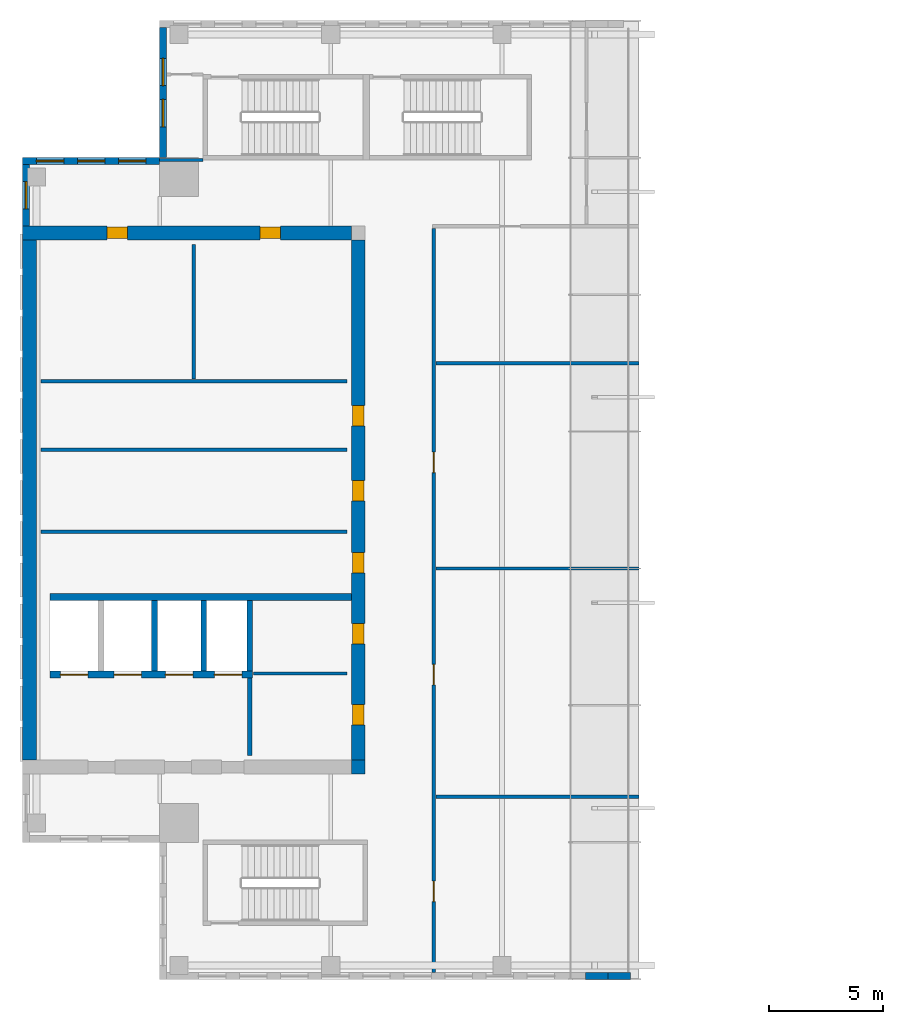
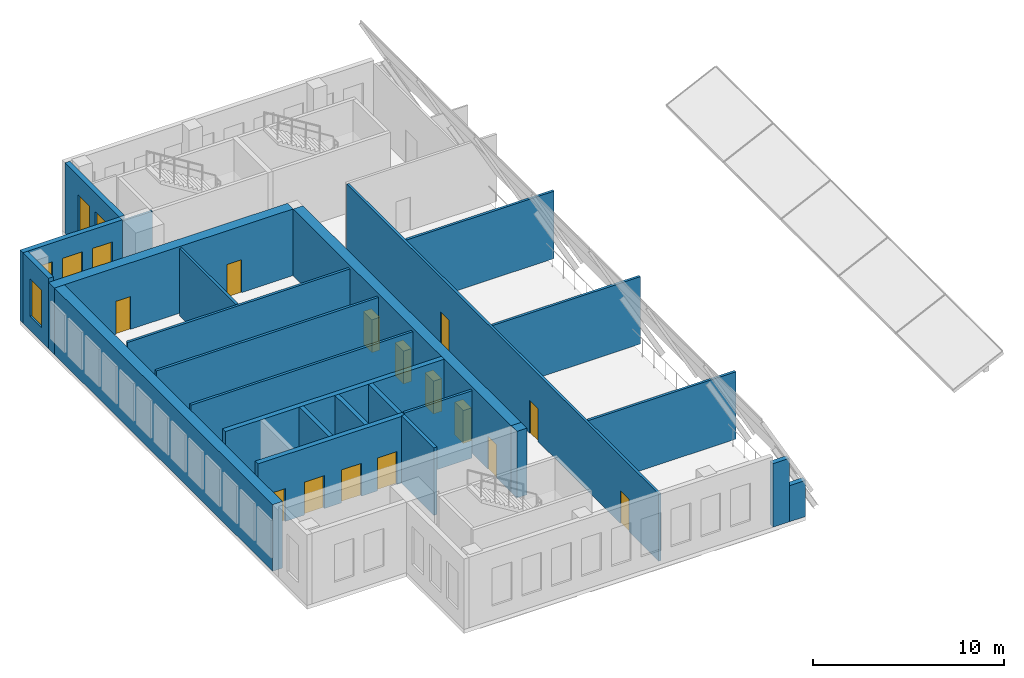
# One storey, part 4 of 7: 25 walls, 14 doors, 6 windows, 20 openings.
"""IFC4 building model written with IfcOpenShell, lengths in metres."""

from ifc_helpers import new_model, si_unit, direction, frame, frame_2d, origin, place, context, subcontext, project, spatial, rectangle, extrude, source, transform, mapped, material, layer, layer_set, type_object, element, fill, save


model = new_model("IFC4")

# Units and contexts
model_context = context("Model", 3, precision=1e-05, world=origin(), true_north=direction((0.0, 1.0)))
body_context = subcontext(model_context, "Body", "Model", "MODEL_VIEW")
ifc_project = project(units=[si_unit("LENGTHUNIT", "METRE"), si_unit("AREAUNIT", "SQUARE_METRE"), si_unit("VOLUMEUNIT", "CUBIC_METRE"), si_unit("PLANEANGLEUNIT", "RADIAN"), si_unit("MASSUNIT", "GRAM", prefix="KILO")], contexts=[model_context])

# Site, building, storey
site_placement = place(None, origin())
site = spatial("IfcSite", under=ifc_project, at=site_placement, CompositionType="ELEMENT")
building_placement = place(site_placement, origin())
building = spatial("IfcBuilding", under=site, at=building_placement, Name="Khomas Fold Tower", CompositionType="ELEMENT")
storey_placement = place(building_placement, frame((0.0, 0.0, 339.199951171875)))
storey = spatial("IfcBuildingStorey", under=building, at=storey_placement, Name="C3", CompositionType="ELEMENT", Elevation=339.199951171875)

# Wall, openings, doors
ifc_material_1 = material(Name="Concrete C50/60", Category="concrete")
ifc_layer_1 = layer(ifc_material_1, 0.60009765625)
ifc_layer_set_1 = layer_set([ifc_layer_1], Name="Concrete C50/60")
wall_type_1 = type_object("IfcWallType", Name="Core wall 600", PredefinedType="SHEAR", material=ifc_layer_set_1)
shared_shape_1 = source(origin(), body_context, "Body", "SweptSolid", [
    extrude(rectangle(XDim=14.39990234375, YDim=0.60009765625, at=frame_2d((7.199951171875, 0.0))), origin(), (0.0, 0.0, 1.0), 4.25),
])
wall_1_placement = place(storey_placement, frame((6.0, 38.699951171875, 0.0), z_axis=(0.0, 0.0, 1.0), x_axis=(1.0, 0.0, 0.0)))
wall_1 = element("IfcWall", 1, at=wall_1_placement, inside=storey, type_object=wall_type_1, Name="Core wall CW-U-N-L63", PredefinedType="SHEAR", context=body_context, shape_type="MappedRepresentation", body=[
    mapped(shared_shape_1, transform((0.0, 0.0, 0.0))),
])
shared_shape_2 = source(origin(), body_context, "Body", "SweptSolid", [
    extrude(rectangle(XDim=0.89990234375, YDim=2.10009765625, at=frame_2d((0.449951171875, 1.050048828125))), frame((0.0, 0.31005859375, 0.0), z_axis=(0.0, -1.0, 0.0), x_axis=(1.0, 0.0, 0.0)), (0.0, 0.0, 1.0), 0.6201171875),
])
opening_1_placement = place(wall_1_placement, frame((3.699951171875, 0.0, 0.0)))
opening_1 = element("IfcOpeningElement", 2, at=opening_1_placement, cuts=wall_1, Name="Opening 0003", PredefinedType="OPENING", context=body_context, shape_type="MappedRepresentation", body=[
    mapped(shared_shape_2, transform((0.0, 0.0, 0.0))),
])
opening_2_placement = place(wall_1_placement, frame((10.39990234375, 0.0, 0.0)))
opening_2 = element("IfcOpeningElement", 3, at=opening_2_placement, cuts=wall_1, Name="Opening 0003", PredefinedType="OPENING", context=body_context, shape_type="MappedRepresentation", body=[
    mapped(shared_shape_2, transform((0.0, 0.0, 0.0))),
])
ifc_material_2 = material(Name="Steel door leaf", Category="steel")
door_type_1 = type_object("IfcDoorType", Name="Plant room door 900x2100 right-hand", OperationType="SINGLE_SWING_RIGHT", PredefinedType="DOOR", material=ifc_material_2)
shared_shape_3 = source(origin(), body_context, "Body", "SweptSolid", [
    extrude(rectangle(XDim=0.89990234375, YDim=2.10009765625, at=frame_2d((0.449951171875, 1.050048828125))), frame((0.0, 0.25, 0.0), z_axis=(0.0, -1.0, 0.0), x_axis=(1.0, 0.0, 0.0)), (0.0, 0.0, 1.0), 0.5),
])
door_1_placement = place(opening_1_placement, origin())
door_1 = element("IfcDoor", 4, at=door_1_placement, inside=storey, type_object=door_type_1, Name="Plant room door", OperationType="SINGLE_SWING_RIGHT", OverallHeight=2.10009765625, OverallWidth=0.89990234375, PredefinedType="DOOR", context=body_context, shape_type="MappedRepresentation", body=[
    mapped(shared_shape_3, transform((0.0, 0.0, 0.0))),
])
fill(opening_1, door_1)
door_2_placement = place(opening_2_placement, origin())
door_2 = element("IfcDoor", 5, at=door_2_placement, inside=storey, type_object=door_type_1, Name="Plant room door", OperationType="SINGLE_SWING_RIGHT", OverallHeight=2.10009765625, OverallWidth=0.89990234375, PredefinedType="DOOR", context=body_context, shape_type="MappedRepresentation", body=[
    mapped(shared_shape_3, transform((0.0, 0.0, 0.0))),
])
fill(opening_2, door_2)

# Wall
ifc_material_3 = material(Name="Concrete C50/60", Category="concrete")
ifc_layer_2 = layer(ifc_material_3, 0.60009765625)
ifc_layer_set_2 = layer_set([ifc_layer_2], Name="Concrete C50/60")
wall_type_2 = type_object("IfcWallType", Name="Core corner wall 600", PredefinedType="SHEAR", material=ifc_layer_set_2)
shared_shape_4 = source(origin(), body_context, "Body", "SweptSolid", [
    extrude(rectangle(XDim=0.60009765625, YDim=0.60009765625, at=frame_2d((0.300048828125, 0.0))), origin(), (0.0, 0.0, 1.0), 4.25),
])
wall_2_placement = place(storey_placement, frame((20.39990234375, 15.300048828125, 0.0), z_axis=(0.0, 0.0, 1.0), x_axis=(1.0, 0.0, 0.0)))
element("IfcWall", 6, at=wall_2_placement, inside=storey, type_object=wall_type_2, Name="Core wall CW-U-SE-L63", PredefinedType="SHEAR", context=body_context, shape_type="MappedRepresentation", body=[
    mapped(shared_shape_4, transform((0.0, 0.0, 0.0))),
])

# Wall, openings, doors
shared_shape_5 = source(origin(), body_context, "Body", "SweptSolid", [
    extrude(rectangle(XDim=22.7998046875, YDim=0.60009765625, at=frame_2d((11.39990234375, 0.0))), origin(), (0.0, 0.0, 1.0), 4.25),
])
wall_3_placement = place(storey_placement, frame((20.699951171875, 15.60009765625, 0.0), z_axis=(0.0, 0.0, 1.0), x_axis=(0.0, 1.0, 0.0)))
wall_3 = element("IfcWall", 7, at=wall_3_placement, inside=storey, type_object=wall_type_1, Name="Core wall CW-U-E-L63", PredefinedType="SHEAR", context=body_context, shape_type="MappedRepresentation", body=[
    mapped(shared_shape_5, transform((0.0, 0.0, 0.0))),
])
opening_3_placement = place(wall_3_placement, frame((8.199951171875, 0.0, 0.0)))
opening_3 = element("IfcOpeningElement", 8, at=opening_3_placement, cuts=wall_3, Name="Opening 0003", PredefinedType="OPENING", context=body_context, shape_type="MappedRepresentation", body=[
    mapped(shared_shape_2, transform((0.0, 0.0, 0.0))),
])
opening_4_placement = place(wall_3_placement, frame((11.35009765625, 0.0, 0.0)))
opening_4 = element("IfcOpeningElement", 9, at=opening_4_placement, cuts=wall_3, Name="Opening 0003", PredefinedType="OPENING", context=body_context, shape_type="MappedRepresentation", body=[
    mapped(shared_shape_2, transform((0.0, 0.0, 0.0))),
])
opening_5_placement = place(wall_3_placement, frame((14.64990234375, 0.0, 0.0)))
opening_5 = element("IfcOpeningElement", 10, at=opening_5_placement, cuts=wall_3, Name="Opening 0003", PredefinedType="OPENING", context=body_context, shape_type="MappedRepresentation", body=[
    mapped(shared_shape_2, transform((0.0, 0.0, 0.0))),
])
opening_6_placement = place(wall_3_placement, frame((1.550048828125, 0.0, 0.0)))
opening_6 = element("IfcOpeningElement", 11, at=opening_6_placement, cuts=wall_3, Name="Opening 0004", PredefinedType="OPENING", context=body_context, shape_type="MappedRepresentation", body=[
    mapped(shared_shape_2, transform((0.0, 0.0, 0.0))),
])
opening_7_placement = place(wall_3_placement, frame((5.10009765625, 0.0, 0.0)))
opening_7 = element("IfcOpeningElement", 12, at=opening_7_placement, cuts=wall_3, Name="Opening 0003", PredefinedType="OPENING", context=body_context, shape_type="MappedRepresentation", body=[
    mapped(shared_shape_2, transform((0.0, 0.0, 0.0))),
])
door_3_placement = place(opening_3_placement, origin())
door_3 = element("IfcDoor", 13, at=door_3_placement, inside=storey, type_object=door_type_1, Name="Plant room door", OperationType="SINGLE_SWING_RIGHT", OverallHeight=2.10009765625, OverallWidth=0.89990234375, PredefinedType="DOOR", context=body_context, shape_type="MappedRepresentation", body=[
    mapped(shared_shape_3, transform((0.0, 0.0, 0.0))),
])
fill(opening_3, door_3)
door_4_placement = place(opening_4_placement, origin())
door_4 = element("IfcDoor", 14, at=door_4_placement, inside=storey, type_object=door_type_1, Name="Plant room door", OperationType="SINGLE_SWING_RIGHT", OverallHeight=2.10009765625, OverallWidth=0.89990234375, PredefinedType="DOOR", context=body_context, shape_type="MappedRepresentation", body=[
    mapped(shared_shape_3, transform((0.0, 0.0, 0.0))),
])
fill(opening_4, door_4)
door_5_placement = place(opening_5_placement, origin())
door_5 = element("IfcDoor", 15, at=door_5_placement, inside=storey, type_object=door_type_1, Name="Plant room door", OperationType="SINGLE_SWING_RIGHT", OverallHeight=2.10009765625, OverallWidth=0.89990234375, PredefinedType="DOOR", context=body_context, shape_type="MappedRepresentation", body=[
    mapped(shared_shape_3, transform((0.0, 0.0, 0.0))),
])
fill(opening_5, door_5)
ifc_material_4 = material(Name="Timber door leaf", Category="wood")
door_type_2 = type_object("IfcDoorType", Name="WC door 900x2100 right-hand", OperationType="SINGLE_SWING_RIGHT", PredefinedType="DOOR", material=ifc_material_4)
door_6_placement = place(opening_6_placement, origin())
door_6 = element("IfcDoor", 16, at=door_6_placement, inside=storey, type_object=door_type_2, Name="WC door", OperationType="SINGLE_SWING_RIGHT", OverallHeight=2.10009765625, OverallWidth=0.89990234375, PredefinedType="DOOR", context=body_context, shape_type="MappedRepresentation", body=[
    mapped(shared_shape_3, transform((0.0, 0.0, 0.0))),
])
fill(opening_6, door_6)
door_7_placement = place(opening_7_placement, origin())
door_7 = element("IfcDoor", 17, at=door_7_placement, inside=storey, type_object=door_type_1, Name="Plant room door", OperationType="SINGLE_SWING_RIGHT", OverallHeight=2.10009765625, OverallWidth=0.89990234375, PredefinedType="DOOR", context=body_context, shape_type="MappedRepresentation", body=[
    mapped(shared_shape_3, transform((0.0, 0.0, 0.0))),
])
fill(opening_7, door_7)

# Walls
wall_4_placement = place(storey_placement, frame((6.300048828125, 15.60009765625, 0.0), z_axis=(0.0, 0.0, 1.0), x_axis=(0.0, 1.0, 0.0)))
element("IfcWall", 18, at=wall_4_placement, inside=storey, type_object=wall_type_1, Name="Core wall CW-U-W-L63", PredefinedType="SHEAR", context=body_context, shape_type="MappedRepresentation", body=[
    mapped(shared_shape_5, transform((0.0, 0.0, 0.0))),
])
ifc_material_5 = material(Name="Concrete C50/60", Category="concrete")
ifc_layer_3 = layer(ifc_material_5, 0.300048828125)
ifc_layer_set_3 = layer_set([ifc_layer_3], Name="Concrete C50/60")
wall_type_3 = type_object("IfcWallType", Name="Shaft wall 300", PredefinedType="STANDARD", material=ifc_layer_set_3)
shared_shape_6 = source(origin(), body_context, "Body", "SweptSolid", [
    extrude(rectangle(XDim=13.199951171875, YDim=0.300048828125, at=frame_2d((6.60009765625, 0.0))), origin(), (0.0, 0.0, 1.0), 4.25),
])
wall_5_placement = place(storey_placement, frame((7.199951171875, 22.75, 0.0), z_axis=(0.0, 0.0, 1.0), x_axis=(1.0, 0.0, 0.0)))
element("IfcWall", 19, at=wall_5_placement, inside=storey, type_object=wall_type_3, Name="Core wall SW-FS-B", PredefinedType="STANDARD", context=body_context, shape_type="MappedRepresentation", body=[
    mapped(shared_shape_6, transform((0.0, 0.0, 0.0))),
])

# Wall, openings, doors
shared_shape_7 = source(origin(), body_context, "Body", "SweptSolid", [
    extrude(rectangle(XDim=8.875, YDim=0.300048828125, at=frame_2d((4.4375, 0.0))), origin(), (0.0, 0.0, 1.0), 4.25),
])
wall_6_placement = place(storey_placement, frame((7.199951171875, 19.35009765625, 0.0), z_axis=(0.0, 0.0, 1.0), x_axis=(1.0, 0.0, 0.0)))
wall_6 = element("IfcWall", 20, at=wall_6_placement, inside=storey, type_object=wall_type_3, Name="Core wall SW-FS-F", PredefinedType="STANDARD", context=body_context, shape_type="MappedRepresentation", body=[
    mapped(shared_shape_7, transform((0.0, 0.0, 0.0))),
])
shared_shape_8 = source(origin(), body_context, "Body", "SweptSolid", [
    extrude(rectangle(XDim=1.199951171875, YDim=2.10009765625, at=frame_2d((0.60009765625, 1.050048828125))), frame((0.0, 0.159912109375, 0.0), z_axis=(0.0, -1.0, 0.0), x_axis=(1.0, 0.0, 0.0)), (0.0, 0.0, 1.0), 0.320068359375),
])
opening_8_placement = place(wall_6_placement, frame((0.449951171875, 0.0, 0.0)))
opening_8 = element("IfcOpeningElement", 21, at=opening_8_placement, cuts=wall_6, Name="Opening LD-SV1", PredefinedType="OPENING", context=body_context, shape_type="MappedRepresentation", body=[
    mapped(shared_shape_8, transform((0.0, 0.0, 0.0))),
])
opening_9_placement = place(wall_6_placement, frame((2.800048828125, 0.0, 0.0)))
opening_9 = element("IfcOpeningElement", 22, at=opening_9_placement, cuts=wall_6, Name="Opening LD-SV2", PredefinedType="OPENING", context=body_context, shape_type="MappedRepresentation", body=[
    mapped(shared_shape_8, transform((0.0, 0.0, 0.0))),
])
opening_10_placement = place(wall_6_placement, frame((5.050048828125, 0.0, 0.0)))
opening_10 = element("IfcOpeningElement", 23, at=opening_10_placement, cuts=wall_6, Name="Opening LD-FF1", PredefinedType="OPENING", context=body_context, shape_type="MappedRepresentation", body=[
    mapped(shared_shape_8, transform((0.0, 0.0, 0.0))),
])
opening_11_placement = place(wall_6_placement, frame((7.199951171875, 0.0, 0.0)))
opening_11 = element("IfcOpeningElement", 24, at=opening_11_placement, cuts=wall_6, Name="Opening LD-FF2", PredefinedType="OPENING", context=body_context, shape_type="MappedRepresentation", body=[
    mapped(shared_shape_8, transform((0.0, 0.0, 0.0))),
])
ifc_material_6 = material(Name="Steel door leaf", Category="steel")
door_type_3 = type_object("IfcDoorType", Name="Landing door 1200x2100", OperationType="DOUBLE_DOOR_SLIDING", PredefinedType="DOOR", material=ifc_material_6)
shared_shape_9 = source(origin(), body_context, "Body", "SweptSolid", [
    extrude(rectangle(XDim=1.199951171875, YDim=2.10009765625, at=frame_2d((0.60009765625, 1.050048828125))), frame((0.0, 0.02490234375, 0.0), z_axis=(0.0, -1.0, 0.0), x_axis=(1.0, 0.0, 0.0)), (0.0, 0.0, 1.0), 0.050048828125),
])
door_8_placement = place(opening_8_placement, origin())
door_8 = element("IfcDoor", 25, at=door_8_placement, inside=storey, type_object=door_type_3, Name="Lift landing door", OperationType="DOUBLE_DOOR_SLIDING", OverallHeight=2.10009765625, OverallWidth=1.199951171875, PredefinedType="DOOR", context=body_context, shape_type="MappedRepresentation", body=[
    mapped(shared_shape_9, transform((0.0, 0.0, 0.0))),
])
fill(opening_8, door_8)
door_9_placement = place(opening_9_placement, origin())
door_9 = element("IfcDoor", 26, at=door_9_placement, inside=storey, type_object=door_type_3, Name="Lift landing door", OperationType="DOUBLE_DOOR_SLIDING", OverallHeight=2.10009765625, OverallWidth=1.199951171875, PredefinedType="DOOR", context=body_context, shape_type="MappedRepresentation", body=[
    mapped(shared_shape_9, transform((0.0, 0.0, 0.0))),
])
fill(opening_9, door_9)
door_10_placement = place(opening_10_placement, origin())
door_10 = element("IfcDoor", 27, at=door_10_placement, inside=storey, type_object=door_type_3, Name="Lift landing door", OperationType="DOUBLE_DOOR_SLIDING", OverallHeight=2.10009765625, OverallWidth=1.199951171875, PredefinedType="DOOR", context=body_context, shape_type="MappedRepresentation", body=[
    mapped(shared_shape_9, transform((0.0, 0.0, 0.0))),
])
fill(opening_10, door_10)
door_11_placement = place(opening_11_placement, origin())
door_11 = element("IfcDoor", 28, at=door_11_placement, inside=storey, type_object=door_type_3, Name="Lift landing door", OperationType="DOUBLE_DOOR_SLIDING", OverallHeight=2.10009765625, OverallWidth=1.199951171875, PredefinedType="DOOR", context=body_context, shape_type="MappedRepresentation", body=[
    mapped(shared_shape_9, transform((0.0, 0.0, 0.0))),
])
fill(opening_11, door_11)

# Walls
ifc_material_7 = material(Name="Concrete C50/60", Category="concrete")
ifc_layer_4 = layer(ifc_material_7, 0.25)
ifc_layer_set_4 = layer_set([ifc_layer_4], Name="Concrete C50/60")
wall_type_4 = type_object("IfcWallType", Name="Shaft wall 250", PredefinedType="STANDARD", material=ifc_layer_set_4)
shared_shape_10 = source(origin(), body_context, "Body", "SweptSolid", [
    extrude(rectangle(XDim=3.10009765625, YDim=0.25, at=frame_2d((1.550048828125, 0.0))), origin(), (0.0, 0.0, 1.0), 4.25),
])
for number, where, z_axis, x_axis, name in (
    (29, (11.77490234375, 19.5, 0.0), (0.0, 0.0, 1.0), (0.0, 1.0, 0.0), "Core wall SW-FS-P2"),
    (30, (13.925048828125, 19.5, 0.0), (0.0, 0.0, 1.0), (0.0, 1.0, 0.0), "Core wall SW-FS-P3"),
    (31, (15.949951171875, 19.5, 0.0), (0.0, 0.0, 1.0), (0.0, 1.0, 0.0), "Core wall SW-FS-PE"),
):
    element("IfcWall", number, at=place(storey_placement, frame(where, z_axis=z_axis, x_axis=x_axis)), inside=storey, type_object=wall_type_4, Name=name, PredefinedType="STANDARD", context=body_context, shape_type="MappedRepresentation", body=[
        mapped(shared_shape_10, transform((0.0, 0.0, 0.0))),
    ])

# Wall, openings, windows
ifc_material_8 = material(Name="Concrete C40/50", Category="concrete")
ifc_layer_5 = layer(ifc_material_8, 0.300048828125)
ifc_layer_set_5 = layer_set([ifc_layer_5], Name="Concrete C40/50")
wall_type_5 = type_object("IfcWallType", Name="Crown gable wall 300 CR-GW1", PredefinedType="SOLIDWALL", material=ifc_layer_set_5)
shared_shape_11 = source(origin(), body_context, "Body", "SweptSolid", [
    extrude(rectangle(XDim=5.699951171875, YDim=0.300048828125, at=frame_2d((2.85009765625, 0.0))), origin(), (0.0, 0.0, 1.0), 4.5),
])
wall_7_placement = place(storey_placement, frame((12.14990234375, 47.699951171875, 0.0), z_axis=(0.0, 0.0, 1.0), x_axis=(0.0, -1.0, 0.0)))
wall_7 = element("IfcWall", 32, at=wall_7_placement, inside=storey, type_object=wall_type_5, Name="Crown wall", PredefinedType="SOLIDWALL", context=body_context, shape_type="MappedRepresentation", body=[
    mapped(shared_shape_11, transform((0.0, 0.0, 0.0))),
])
shared_shape_12 = source(origin(), body_context, "Body", "SweptSolid", [
    extrude(rectangle(XDim=1.199951171875, YDim=2.39990234375, at=frame_2d((0.60009765625, 1.199951171875))), frame((0.0, 0.159912109375, 0.0), z_axis=(0.0, -1.0, 0.0), x_axis=(1.0, 0.0, 0.0)), (0.0, 0.0, 1.0), 0.320068359375),
])
opening_12_placement = place(wall_7_placement, frame((1.35009765625, 0.0, 0.89990234375)))
opening_12 = element("IfcOpeningElement", 33, at=opening_12_placement, cuts=wall_7, Name="Opening CR-LV", PredefinedType="OPENING", context=body_context, shape_type="MappedRepresentation", body=[
    mapped(shared_shape_12, transform((0.0, 0.0, 0.0))),
])
opening_13_placement = place(wall_7_placement, frame((3.14990234375, 0.0, 0.89990234375)))
opening_13 = element("IfcOpeningElement", 34, at=opening_13_placement, cuts=wall_7, Name="Opening CR-LV", PredefinedType="OPENING", context=body_context, shape_type="MappedRepresentation", body=[
    mapped(shared_shape_12, transform((0.0, 0.0, 0.0))),
])
ifc_material_9 = material(Name="Aluminium louvre", Category="aluminium")
window_type = type_object("IfcWindowType", Name="Crown plant louvre 1200 x 2400", PartitioningType="SINGLE_PANEL", PredefinedType="WINDOW", material=ifc_material_9)
shared_shape_13 = source(origin(), body_context, "Body", "SweptSolid", [
    extrude(rectangle(XDim=1.199951171875, YDim=2.39990234375, at=frame_2d((0.60009765625, 1.199951171875))), frame((0.0, 0.030029296875, 0.0), z_axis=(0.0, -1.0, 0.0), x_axis=(1.0, 0.0, 0.0)), (0.0, 0.0, 1.0), 0.06005859375),
])
window_1_placement = place(opening_12_placement, origin())
window_1 = element("IfcWindow", 35, at=window_1_placement, inside=storey, type_object=window_type, Name="Crown plant louvre", OverallHeight=2.39990234375, OverallWidth=1.199951171875, PartitioningType="SINGLE_PANEL", PredefinedType="WINDOW", context=body_context, shape_type="MappedRepresentation", body=[
    mapped(shared_shape_13, transform((0.0, 0.0, 0.0))),
])
fill(opening_12, window_1)
window_2_placement = place(opening_13_placement, origin())
window_2 = element("IfcWindow", 36, at=window_2_placement, inside=storey, type_object=window_type, Name="Crown plant louvre", OverallHeight=2.39990234375, OverallWidth=1.199951171875, PartitioningType="SINGLE_PANEL", PredefinedType="WINDOW", context=body_context, shape_type="MappedRepresentation", body=[
    mapped(shared_shape_13, transform((0.0, 0.0, 0.0))),
])
fill(opening_13, window_2)

shared_shape_14 = source(origin(), body_context, "Body", "SweptSolid", [
    extrude(rectangle(XDim=6.0, YDim=0.300048828125, at=frame_2d((3.0, 0.0))), origin(), (0.0, 0.0, 1.0), 4.5),
])
wall_8_placement = place(storey_placement, frame((12.0, 41.85009765625, 0.0), z_axis=(0.0, 0.0, 1.0), x_axis=(-1.0, 0.0, 0.0)))
wall_8 = element("IfcWall", 37, at=wall_8_placement, inside=storey, type_object=wall_type_5, Name="Crown wall", PredefinedType="SOLIDWALL", context=body_context, shape_type="MappedRepresentation", body=[
    mapped(shared_shape_14, transform((0.0, 0.0, 0.0))),
])
opening_14_placement = place(wall_8_placement, frame((0.60009765625, 0.0, 0.89990234375)))
opening_14 = element("IfcOpeningElement", 38, at=opening_14_placement, cuts=wall_8, Name="Opening CR-LV", PredefinedType="OPENING", context=body_context, shape_type="MappedRepresentation", body=[
    mapped(shared_shape_12, transform((0.0, 0.0, 0.0))),
])
opening_15_placement = place(wall_8_placement, frame((2.39990234375, 0.0, 0.89990234375)))
opening_15 = element("IfcOpeningElement", 39, at=opening_15_placement, cuts=wall_8, Name="Opening CR-LV", PredefinedType="OPENING", context=body_context, shape_type="MappedRepresentation", body=[
    mapped(shared_shape_12, transform((0.0, 0.0, 0.0))),
])
opening_16_placement = place(wall_8_placement, frame((4.199951171875, 0.0, 0.89990234375)))
opening_16 = element("IfcOpeningElement", 40, at=opening_16_placement, cuts=wall_8, Name="Opening CR-LV", PredefinedType="OPENING", context=body_context, shape_type="MappedRepresentation", body=[
    mapped(shared_shape_12, transform((0.0, 0.0, 0.0))),
])
window_3_placement = place(opening_14_placement, origin())
window_3 = element("IfcWindow", 41, at=window_3_placement, inside=storey, type_object=window_type, Name="Crown plant louvre", OverallHeight=2.39990234375, OverallWidth=1.199951171875, PartitioningType="SINGLE_PANEL", PredefinedType="WINDOW", context=body_context, shape_type="MappedRepresentation", body=[
    mapped(shared_shape_13, transform((0.0, 0.0, 0.0))),
])
fill(opening_14, window_3)
window_4_placement = place(opening_15_placement, origin())
window_4 = element("IfcWindow", 42, at=window_4_placement, inside=storey, type_object=window_type, Name="Crown plant louvre", OverallHeight=2.39990234375, OverallWidth=1.199951171875, PartitioningType="SINGLE_PANEL", PredefinedType="WINDOW", context=body_context, shape_type="MappedRepresentation", body=[
    mapped(shared_shape_13, transform((0.0, 0.0, 0.0))),
])
fill(opening_15, window_4)
window_5_placement = place(opening_16_placement, origin())
window_5 = element("IfcWindow", 43, at=window_5_placement, inside=storey, type_object=window_type, Name="Crown plant louvre", OverallHeight=2.39990234375, OverallWidth=1.199951171875, PartitioningType="SINGLE_PANEL", PredefinedType="WINDOW", context=body_context, shape_type="MappedRepresentation", body=[
    mapped(shared_shape_13, transform((0.0, 0.0, 0.0))),
])
fill(opening_16, window_5)

# Wall, opening, window
shared_shape_15 = source(origin(), body_context, "Body", "SweptSolid", [
    extrude(rectangle(XDim=2.699951171875, YDim=0.300048828125, at=frame_2d((1.35009765625, 0.0))), origin(), (0.0, 0.0, 1.0), 4.5),
])
wall_9_placement = place(storey_placement, frame((6.14990234375, 41.699951171875, 0.0), z_axis=(0.0, 0.0, 1.0), x_axis=(0.0, -1.0, 0.0)))
wall_9 = element("IfcWall", 44, at=wall_9_placement, inside=storey, type_object=wall_type_5, Name="Crown wall", PredefinedType="SOLIDWALL", context=body_context, shape_type="MappedRepresentation", body=[
    mapped(shared_shape_15, transform((0.0, 0.0, 0.0))),
])
opening_17_placement = place(wall_9_placement, frame((0.75, 0.0, 0.89990234375)))
opening_17 = element("IfcOpeningElement", 45, at=opening_17_placement, cuts=wall_9, Name="Opening CR-LV", PredefinedType="OPENING", context=body_context, shape_type="MappedRepresentation", body=[
    mapped(shared_shape_12, transform((0.0, 0.0, 0.0))),
])
window_6_placement = place(opening_17_placement, origin())
window_6 = element("IfcWindow", 46, at=window_6_placement, inside=storey, type_object=window_type, Name="Crown plant louvre", OverallHeight=2.39990234375, OverallWidth=1.199951171875, PartitioningType="SINGLE_PANEL", PredefinedType="WINDOW", context=body_context, shape_type="MappedRepresentation", body=[
    mapped(shared_shape_13, transform((0.0, 0.0, 0.0))),
])
fill(opening_17, window_6)

# Walls
ifc_material_10 = material(Name="Concrete C40/50", Category="concrete")
ifc_layer_6 = layer(ifc_material_10, 0.300048828125)
ifc_layer_set_6 = layer_set([ifc_layer_6], Name="Concrete C40/50")
wall_type_6 = type_object("IfcWallType", Name="Crown gable wall 300 CR-GW2", PredefinedType="SOLIDWALL", material=ifc_layer_set_6)
shared_shape_16 = source(origin(), body_context, "Body", "SweptSolid", [
    extrude(rectangle(XDim=0.982177734375, YDim=0.300048828125, at=frame_2d((0.4912109375, 0.0))), origin(), (0.0, 0.0, 1.0), 4.050048828125),
])
wall_10_placement = place(storey_placement, frame((30.662353515625, 6.14990234375, 0.0), z_axis=(0.0, 0.0, 1.0), x_axis=(1.0, 0.0, 0.0)))
element("IfcWall", 47, at=wall_10_placement, inside=storey, type_object=wall_type_6, Name="Crown wall", PredefinedType="SOLIDWALL", context=body_context, shape_type="MappedRepresentation", body=[
    mapped(shared_shape_16, transform((0.0, 0.0, 0.0))),
])
ifc_material_11 = material(Name="Concrete C40/50", Category="concrete")
ifc_layer_7 = layer(ifc_material_11, 0.300048828125)
ifc_layer_set_7 = layer_set([ifc_layer_7], Name="Concrete C40/50")
wall_type_7 = type_object("IfcWallType", Name="Crown gable wall 300 CR-GW3", PredefinedType="SOLIDWALL", material=ifc_layer_set_7)
shared_shape_17 = source(origin(), body_context, "Body", "SweptSolid", [
    extrude(rectangle(XDim=0.982177734375, YDim=0.300048828125, at=frame_2d((0.4912109375, 0.0))), origin(), (0.0, 0.0, 1.0), 2.300048828125),
])
wall_11_placement = place(storey_placement, frame((31.64453125, 6.14990234375, 0.0), z_axis=(0.0, 0.0, 1.0), x_axis=(1.0, 0.0, 0.0)))
element("IfcWall", 48, at=wall_11_placement, inside=storey, type_object=wall_type_7, Name="Crown wall", PredefinedType="SOLIDWALL", context=body_context, shape_type="MappedRepresentation", body=[
    mapped(shared_shape_17, transform((0.0, 0.0, 0.0))),
])

# Wall, openings, doors
ifc_material_12 = material(Name="Plasterboard fire partition")
ifc_layer_8 = layer(ifc_material_12, 0.14990234375)
ifc_layer_set_8 = layer_set([ifc_layer_8], Name="Plasterboard fire partition")
wall_type_8 = type_object("IfcWallType", Name="Plant room wall PW3 150", PredefinedType="PARTITIONING", material=ifc_layer_set_8)
shared_shape_18 = source(origin(), body_context, "Body", "SweptSolid", [
    extrude(rectangle(XDim=32.599853515625, YDim=0.14990234375, at=frame_2d((16.2998046875, 0.0))), origin(), (0.0, 0.0, 1.0), 4.300048828125),
])
wall_12_placement = place(storey_placement, frame((24.0, 6.300048828125, 0.0), z_axis=(0.0, 0.0, 1.0), x_axis=(0.0, 1.0, 0.0)))
wall_12 = element("IfcWall", 49, at=wall_12_placement, inside=storey, type_object=wall_type_8, Name="Plant room wall", PredefinedType="PARTITIONING", context=body_context, shape_type="MappedRepresentation", body=[
    mapped(shared_shape_18, transform((0.0, 0.0, 0.0))),
])
shared_shape_19 = source(origin(), body_context, "Body", "SweptSolid", [
    extrude(rectangle(XDim=0.89990234375, YDim=2.10009765625, at=frame_2d((0.449951171875, 1.050048828125))), frame((0.0, 0.0849609375, 0.0), z_axis=(0.0, -1.0, 0.0), x_axis=(1.0, 0.0, 0.0)), (0.0, 0.0, 1.0), 0.169921875),
])
opening_18_placement = place(wall_12_placement, frame((3.10009765625, 0.0, 0.0)))
opening_18 = element("IfcOpeningElement", 50, at=opening_18_placement, cuts=wall_12, Name="Opening 0002", PredefinedType="OPENING", context=body_context, shape_type="MappedRepresentation", body=[
    mapped(shared_shape_19, transform((0.0, 0.0, 0.0))),
])
opening_19_placement = place(wall_12_placement, frame((12.60009765625, 0.0, 0.0)))
opening_19 = element("IfcOpeningElement", 51, at=opening_19_placement, cuts=wall_12, Name="Opening 0002", PredefinedType="OPENING", context=body_context, shape_type="MappedRepresentation", body=[
    mapped(shared_shape_19, transform((0.0, 0.0, 0.0))),
])
opening_20_placement = place(wall_12_placement, frame((21.89990234375, 0.0, 0.0)))
opening_20 = element("IfcOpeningElement", 52, at=opening_20_placement, cuts=wall_12, Name="Opening 0003", PredefinedType="OPENING", context=body_context, shape_type="MappedRepresentation", body=[
    mapped(shared_shape_19, transform((0.0, 0.0, 0.0))),
])
ifc_material_13 = material(Name="Steel door leaf", Category="steel")
door_type_4 = type_object("IfcDoorType", Name="Plant room door 900x2100 left-hand", OperationType="SINGLE_SWING_LEFT", PredefinedType="DOOR", material=ifc_material_13)
shared_shape_20 = source(origin(), body_context, "Body", "SweptSolid", [
    extrude(rectangle(XDim=0.89990234375, YDim=2.10009765625, at=frame_2d((0.449951171875, 1.050048828125))), frame((0.0, 0.02490234375, 0.0), z_axis=(0.0, -1.0, 0.0), x_axis=(1.0, 0.0, 0.0)), (0.0, 0.0, 1.0), 0.050048828125),
])
door_12_placement = place(opening_18_placement, origin())
door_12 = element("IfcDoor", 53, at=door_12_placement, inside=storey, type_object=door_type_4, Name="Plant room door", OperationType="SINGLE_SWING_LEFT", OverallHeight=2.10009765625, OverallWidth=0.89990234375, PredefinedType="DOOR", context=body_context, shape_type="MappedRepresentation", body=[
    mapped(shared_shape_20, transform((0.0, 0.0, 0.0))),
])
fill(opening_18, door_12)
door_13_placement = place(opening_19_placement, origin())
door_13 = element("IfcDoor", 54, at=door_13_placement, inside=storey, type_object=door_type_4, Name="Plant room door", OperationType="SINGLE_SWING_LEFT", OverallHeight=2.10009765625, OverallWidth=0.89990234375, PredefinedType="DOOR", context=body_context, shape_type="MappedRepresentation", body=[
    mapped(shared_shape_20, transform((0.0, 0.0, 0.0))),
])
fill(opening_19, door_13)
door_14_placement = place(opening_20_placement, origin())
door_14 = element("IfcDoor", 55, at=door_14_placement, inside=storey, type_object=door_type_1, Name="Plant room door", OperationType="SINGLE_SWING_RIGHT", OverallHeight=2.10009765625, OverallWidth=0.89990234375, PredefinedType="DOOR", context=body_context, shape_type="MappedRepresentation", body=[
    mapped(shared_shape_20, transform((0.0, 0.0, 0.0))),
])
fill(opening_20, door_14)

# Walls
ifc_material_14 = material(Name="Concrete C30/37", Category="concrete")
ifc_layer_9 = layer(ifc_material_14, 0.199951171875)
ifc_layer_set_9 = layer_set([ifc_layer_9], Name="Concrete C30/37")
wall_type_9 = type_object("IfcWallType", Name="Lobby wall PW4 200", PredefinedType="PARTITIONING", material=ifc_layer_set_9)
shared_shape_21 = source(origin(), body_context, "Body", "SweptSolid", [
    extrude(rectangle(XDim=3.39990234375, YDim=0.199951171875, at=frame_2d((1.699951171875, 0.0))), origin(), (0.0, 0.0, 1.0), 4.300048828125),
])
wall_13_placement = place(storey_placement, frame((15.949951171875, 15.800048828125, 0.0), z_axis=(0.0, 0.0, 1.0), x_axis=(0.0, 1.0, 0.0)))
element("IfcWall", 56, at=wall_13_placement, inside=storey, type_object=wall_type_9, Name="Lobby wall", PredefinedType="PARTITIONING", context=body_context, shape_type="MappedRepresentation", body=[
    mapped(shared_shape_21, transform((0.0, 0.0, 0.0))),
])
shared_shape_22 = source(origin(), body_context, "Body", "SweptSolid", [
    extrude(rectangle(XDim=4.099853515625, YDim=0.14990234375, at=frame_2d((2.0498046875, 0.0))), origin(), (0.0, 0.0, 1.0), 4.300048828125),
])
wall_14_placement = place(storey_placement, frame((16.10009765625, 19.39990234375, 0.0), z_axis=(0.0, 0.0, 1.0), x_axis=(1.0, 0.0, 0.0)))
element("IfcWall", 57, at=wall_14_placement, inside=storey, type_object=wall_type_8, Name="Plant room wall", PredefinedType="PARTITIONING", context=body_context, shape_type="MappedRepresentation", body=[
    mapped(shared_shape_22, transform((0.0, 0.0, 0.0))),
])
ifc_material_15 = material(Name="Plasterboard partition")
ifc_layer_10 = layer(ifc_material_15, 0.125)
ifc_layer_set_10 = layer_set([ifc_layer_10], Name="Plasterboard partition")
wall_type_10 = type_object("IfcWallType", Name="Partition PW2 125", PredefinedType="PARTITIONING", material=ifc_layer_set_10)
shared_shape_23 = source(origin(), body_context, "Body", "SweptSolid", [
    extrude(rectangle(XDim=1.89990234375, YDim=0.125, at=frame_2d((0.949951171875, 0.0))), origin(), (0.0, 0.0, 1.0), 4.300048828125),
])
wall_15_placement = place(storey_placement, frame((12.0, 41.89990234375, 0.0), z_axis=(0.0, 0.0, 1.0), x_axis=(1.0, 0.0, 0.0)))
element("IfcWall", 58, at=wall_15_placement, inside=storey, type_object=wall_type_10, Name="Partition", PredefinedType="PARTITIONING", context=body_context, shape_type="MappedRepresentation", body=[
    mapped(shared_shape_23, transform((0.0, 0.0, 0.0))),
])
shared_shape_24 = source(origin(), body_context, "Body", "SweptSolid", [
    extrude(rectangle(XDim=13.39990234375, YDim=0.14990234375, at=frame_2d((6.699951171875, 0.0))), origin(), (0.0, 0.0, 1.0), 4.300048828125),
])
for number, where, z_axis, x_axis, name in (
    (59, (6.800048828125, 25.60009765625, 0.0), (0.0, 0.0, 1.0), (1.0, 0.0, 0.0), "Plant room wall"),
    (60, (6.800048828125, 29.199951171875, 0.0), (0.0, 0.0, 1.0), (1.0, 0.0, 0.0), "Plant room wall"),
    (61, (6.800048828125, 32.199951171875, 0.0), (0.0, 0.0, 1.0), (1.0, 0.0, 0.0), "Plant room wall"),
):
    element("IfcWall", number, at=place(storey_placement, frame(where, z_axis=z_axis, x_axis=x_axis)), inside=storey, type_object=wall_type_8, Name=name, PredefinedType="PARTITIONING", context=body_context, shape_type="MappedRepresentation", body=[
        mapped(shared_shape_24, transform((0.0, 0.0, 0.0))),
    ])
shared_shape_25 = source(origin(), body_context, "Body", "SweptSolid", [
    extrude(rectangle(XDim=5.89990234375, YDim=0.14990234375, at=frame_2d((2.949951171875, 0.0))), origin(), (0.0, 0.0, 1.0), 4.300048828125),
])
wall_16_placement = place(storey_placement, frame((13.5, 32.300048828125, 0.0), z_axis=(0.0, 0.0, 1.0), x_axis=(0.0, 1.0, 0.0)))
element("IfcWall", 62, at=wall_16_placement, inside=storey, type_object=wall_type_8, Name="Plant room wall", PredefinedType="PARTITIONING", context=body_context, shape_type="MappedRepresentation", body=[
    mapped(shared_shape_25, transform((0.0, 0.0, 0.0))),
])
shared_shape_26 = source(origin(), body_context, "Body", "SweptSolid", [
    extrude(rectangle(XDim=8.89990234375, YDim=0.14990234375, at=frame_2d((4.449951171875, 0.0))), origin(), (0.0, 0.0, 1.0), 4.300048828125),
])
for number, where, z_axis, x_axis, name in (
    (63, (24.10009765625, 14.0, 0.0), (0.0, 0.0, 1.0), (1.0, 0.0, 0.0), "Plant room wall"),
    (64, (24.10009765625, 24.0, 0.0), (0.0, 0.0, 1.0), (1.0, 0.0, 0.0), "Plant room wall"),
    (65, (24.10009765625, 33.0, 0.0), (0.0, 0.0, 1.0), (1.0, 0.0, 0.0), "Plant room wall"),
):
    element("IfcWall", number, at=place(storey_placement, frame(where, z_axis=z_axis, x_axis=x_axis)), inside=storey, type_object=wall_type_8, Name=name, PredefinedType="PARTITIONING", context=body_context, shape_type="MappedRepresentation", body=[
        mapped(shared_shape_26, transform((0.0, 0.0, 0.0))),
    ])

save(model, "model.ifc")
